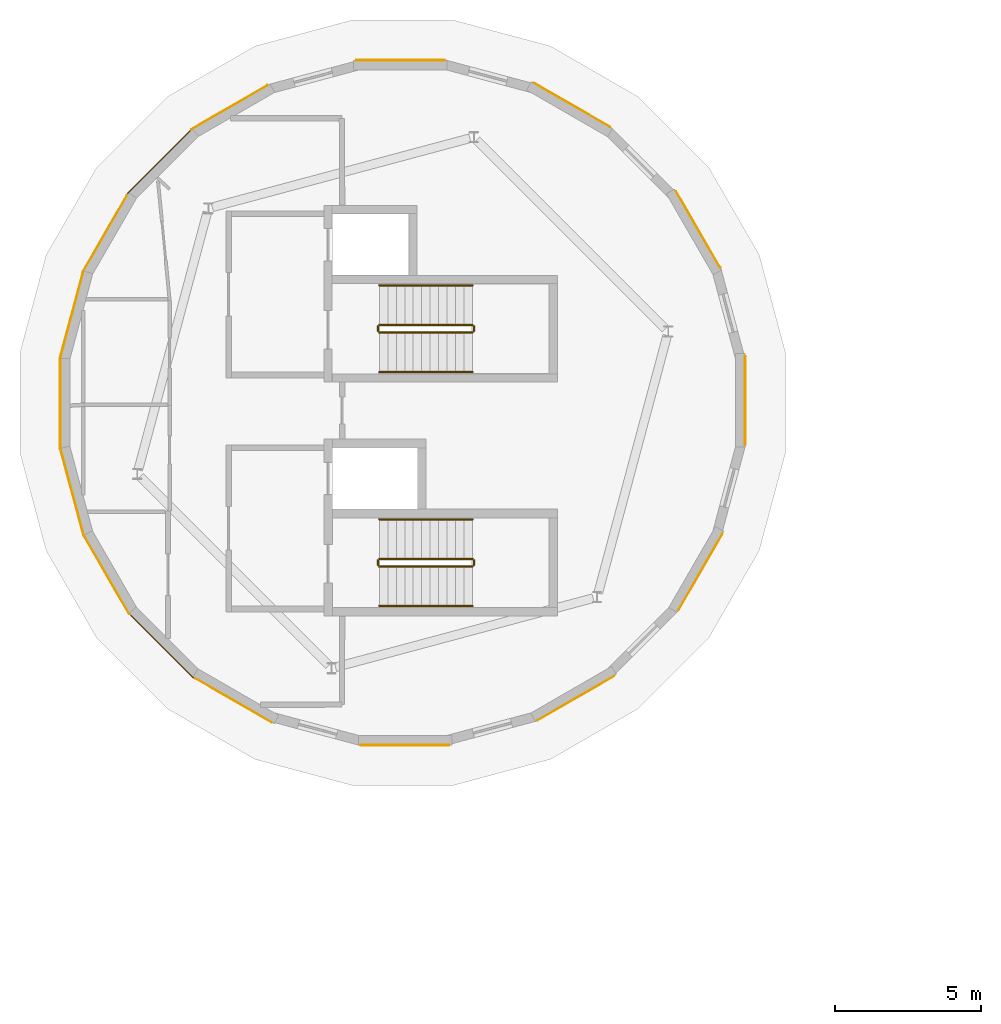
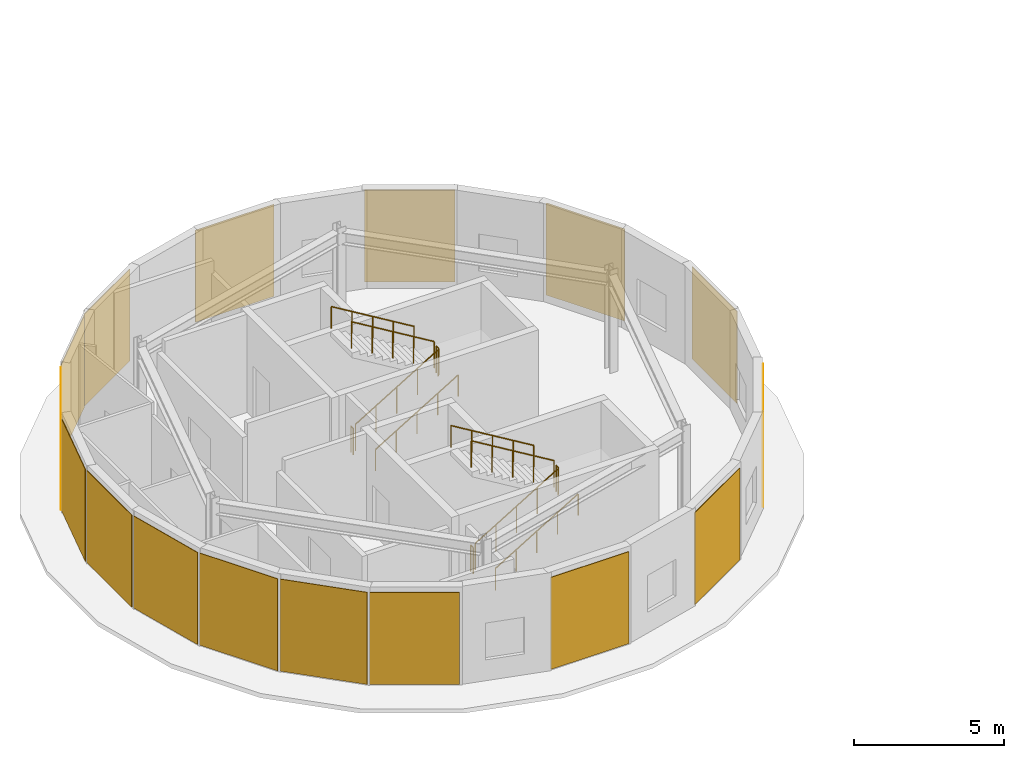
# One storey, part 4 of 5: 16 coverings, 12 railings.
"""IFC4 building model written with IfcOpenShell, lengths in metres."""

from ifc_helpers import new_model, si_unit, direction, frame, origin, origin_2d, place, context, subcontext, project, spatial, rectangle, circle, extrude, material, layer, layer_set, type_object, element, save


model = new_model("IFC4")

# Units and contexts
model_context = context("Model", 3, precision=1e-05, world=origin(), true_north=direction((0.0, 1.0)))
body_context = subcontext(model_context, "Body", "Model", "MODEL_VIEW")
ifc_project = project(units=[si_unit("LENGTHUNIT", "METRE"), si_unit("AREAUNIT", "SQUARE_METRE"), si_unit("VOLUMEUNIT", "CUBIC_METRE"), si_unit("PLANEANGLEUNIT", "RADIAN"), si_unit("MASSUNIT", "GRAM", prefix="KILO")], contexts=[model_context])

# Site, building, storey
site_placement = place(None, origin())
site = spatial("IfcSite", under=ifc_project, at=site_placement, CompositionType="ELEMENT")
building_placement = place(site_placement, origin())
building = spatial("IfcBuilding", under=site, at=building_placement, Name="Varnklinge Art Gallery", CompositionType="ELEMENT")
storey_placement = place(building_placement, frame((0.0, 0.0, 21.60009765625)))
storey = spatial("IfcBuildingStorey", under=building, at=storey_placement, Name="L05", CompositionType="ELEMENT", Elevation=21.60009765625)

# Coverings
ifc_material_1 = material(Name="Pre-weathered Zinc", Category="metal")
ifc_layer = layer(ifc_material_1, 0.02490234375)
ifc_layer_set = layer_set([ifc_layer], Name="Pre-weathered Zinc")
covering_type = type_object("IfcCoveringType", Name="CLD-ZNC", PredefinedType="CLADDING", material=ifc_layer_set)
for number, where, z_axis, x_axis, name in (
    (1, (87.21142578125, 38.580078125, 0.044921875), (0.0, 0.0, 1.0), (0.0, -1.0, 0.0), "L05 Brushed Zinc Drum Cladding EW-V4D-L05-01"),
    (2, (85.6826171875, 32.71337890625, 0.044921875), (0.0, 0.0, 1.0), (-0.5, -0.866025403784, 0.0), "L05 Brushed Zinc Drum Cladding EW-V4D-L05-03"),
    (3, (81.425048828125, 28.3974609375, 0.044921875), (0.0, 0.0, 1.0), (-0.866025403784, -0.5, 0.0), "L05 Brushed Zinc Drum Cladding EW-V4D-L05-05"),
    (4, (75.580078125, 26.78857421875, 0.044921875), (0.0, 0.0, 1.0), (-1.0, 0.0, 0.0), "L05 Brushed Zinc Drum Cladding EW-V4D-L05-07"),
    (5, (69.71337890625, 28.3173828125, 0.044921875), (0.0, 0.0, 1.0), (-0.866025403784, 0.5, 0.0), "L05 Brushed Zinc Drum Cladding EW-V4D-L05-09"),
    (6, (67.275146484375, 30.162109375, 0.044921875), (0.0, 0.0, 1.0), (-0.707106781187, 0.707106781187, 0.0), "L05 Brushed Zinc Drum Cladding EW-V4D-L05-10"),
    (7, (65.3974609375, 32.574951171875, 0.044921875), (0.0, 0.0, 1.0), (-0.5, 0.866025403784, 0.0), "L05 Brushed Zinc Drum Cladding EW-V4D-L05-11"),
    (8, (64.208251953125, 35.3916015625, 0.044921875), (0.0, 0.0, 1.0), (-0.258819045103, 0.965925826289, 0.0), "L05 Brushed Zinc Drum Cladding EW-V4D-L05-12"),
    (9, (63.78857421875, 38.419921875, 0.044921875), (0.0, 0.0, 1.0), (0.0, 1.0, 0.0), "L05 Brushed Zinc Drum Cladding EW-V4D-L05-13"),
    (10, (64.166748046875, 41.453857421875, 0.044921875), (0.0, 0.0, 1.0), (0.258819045103, 0.965925826289, 0.0), "L05 Brushed Zinc Drum Cladding EW-V4D-L05-14"),
    (11, (65.3173828125, 44.28662109375, 0.044921875), (0.0, 0.0, 1.0), (0.5, 0.866025403784, 0.0), "L05 Brushed Zinc Drum Cladding EW-V4D-L05-15"),
    (12, (67.162109375, 46.724853515625, 0.044921875), (0.0, 0.0, 1.0), (0.707106781187, 0.707106781187, 0.0), "L05 Brushed Zinc Drum Cladding EW-V4D-L05-16"),
    (13, (69.574951171875, 48.6025390625, 0.044921875), (0.0, 0.0, 1.0), (0.866025403784, 0.5, 0.0), "L05 Brushed Zinc Drum Cladding EW-V4D-L05-17"),
    (14, (75.419921875, 50.21142578125, 0.044921875), (0.0, 0.0, 1.0), (1.0, 0.0, 0.0), "L05 Brushed Zinc Drum Cladding EW-V4D-L05-19"),
    (15, (81.28662109375, 48.6826171875, 0.044921875), (0.0, 0.0, 1.0), (0.866025403784, -0.5, 0.0), "L05 Brushed Zinc Drum Cladding EW-V4D-L05-21"),
    (16, (85.6025390625, 44.425048828125, 0.044921875), (0.0, 0.0, 1.0), (0.5, -0.866025403784, 0.0), "L05 Brushed Zinc Drum Cladding EW-V4D-L05-23"),
):
    element("IfcCovering", number, at=place(storey_placement, frame(where, z_axis=z_axis, x_axis=x_axis)), inside=storey, type_object=covering_type, Name=name, PredefinedType="CLADDING", context=body_context, shape_type="SweptSolid", body=[
        extrude(rectangle(XDim=3.018310546875, YDim=0.02490234375, at=origin_2d()), origin(), (0.0, 0.0, 1.0), 3.75),
    ])

# Railings
ifc_material_2 = material(Name="Steel S355", Category="steel")
railing_type_1 = type_object("IfcRailingType", Name="GR-INT", PredefinedType="GUARDRAIL", material=ifc_material_2)
railing_1_placement = place(storey_placement, frame((74.699951171875, 32.89990234375, 0.1748046875)))
element("IfcRailing", 17, at=railing_1_placement, inside=storey, type_object=railing_type_1, Name="L05 ST-01 stair guard 1", PredefinedType="GUARDRAIL", context=body_context, shape_type="SweptSolid", body=[
    extrude(circle(Radius=0.02392578125, at=origin_2d()), frame((0.0, 0.0, 1.076171875), z_axis=(0.856177665481, 0.0, 0.516681531633), x_axis=(0.0, 1.0, 0.0)), (0.0, 0.0, 1.0), 3.725830078125),
    extrude(circle(Radius=0.02099609375, at=origin_2d()), origin(), (0.0, 0.0, 1.0), 1.052001953125),
    extrude(circle(Radius=0.02099609375, at=origin_2d()), frame((0.79736328125, 0.0, 0.481201171875)), (0.0, 0.0, 1.0), 1.052001953125),
    extrude(circle(Radius=0.02099609375, at=origin_2d()), frame((1.594970703125, 0.0, 0.96240234375)), (0.0, 0.0, 1.0), 1.052001953125),
    extrude(circle(Radius=0.02099609375, at=origin_2d()), frame((2.392578125, 0.0, 1.44384765625)), (0.0, 0.0, 1.0), 1.052001953125),
    extrude(circle(Radius=0.02099609375, at=origin_2d()), frame((3.18994140625, 0.0, 1.925048828125)), (0.0, 0.0, 1.0), 1.052001953125),
])
railing_2_placement = place(storey_placement, frame((77.93994140625, 32.949951171875, 2.099853515625)))
element("IfcRailing", 18, at=railing_2_placement, inside=storey, type_object=railing_type_1, Name="L05 ST-01 stair guard 2", PredefinedType="GUARDRAIL", context=body_context, shape_type="SweptSolid", body=[
    extrude(circle(Radius=0.02392578125, at=origin_2d()), frame((0.0, 0.0, 1.076171875), z_axis=(0.0, 1.0, 0.0), x_axis=(-1.0, 0.0, 0.0)), (0.0, 0.0, 1.0), 0.16015625),
    extrude(circle(Radius=0.02099609375, at=origin_2d()), origin(), (0.0, 0.0, 1.0), 1.052001953125),
    extrude(circle(Radius=0.02099609375, at=origin_2d()), frame((0.0, 0.16015625, 0.0)), (0.0, 0.0, 1.0), 1.052001953125),
])
railing_3_placement = place(storey_placement, frame((77.889892578125, 33.159912109375, 2.27490234375)))
element("IfcRailing", 19, at=railing_3_placement, inside=storey, type_object=railing_type_1, Name="L05 ST-01 stair guard 3", PredefinedType="GUARDRAIL", context=body_context, shape_type="SweptSolid", body=[
    extrude(circle(Radius=0.02392578125, at=origin_2d()), frame((0.0, 0.0, 1.076171875), z_axis=(-0.856177665481, 0.0, 0.516681531633), x_axis=(0.0, -1.0, 0.0)), (0.0, 0.0, 1.0), 3.725830078125),
    extrude(circle(Radius=0.02099609375, at=origin_2d()), origin(), (0.0, 0.0, 1.0), 1.052001953125),
    extrude(circle(Radius=0.02099609375, at=origin_2d()), frame((-0.79736328125, 0.0, 0.481201171875)), (0.0, 0.0, 1.0), 1.052001953125),
    extrude(circle(Radius=0.02099609375, at=origin_2d()), frame((-1.594970703125, 0.0, 0.96240234375)), (0.0, 0.0, 1.0), 1.052001953125),
    extrude(circle(Radius=0.02099609375, at=origin_2d()), frame((-2.392578125, 0.0, 1.44384765625)), (0.0, 0.0, 1.0), 1.052001953125),
    extrude(circle(Radius=0.02099609375, at=origin_2d()), frame((-3.18994140625, 0.0, 1.925048828125)), (0.0, 0.0, 1.0), 1.052001953125),
])
railing_4_placement = place(storey_placement, frame((74.64990234375, 32.949951171875, 0.0)))
element("IfcRailing", 20, at=railing_4_placement, inside=storey, type_object=railing_type_1, Name="L05 ST-01 stair guard 4", PredefinedType="GUARDRAIL", context=body_context, shape_type="SweptSolid", body=[
    extrude(circle(Radius=0.02392578125, at=origin_2d()), frame((0.0, 0.0, 1.076171875), z_axis=(0.0, 1.0, 0.0), x_axis=(-1.0, 0.0, 0.0)), (0.0, 0.0, 1.0), 0.16015625),
    extrude(circle(Radius=0.02099609375, at=origin_2d()), origin(), (0.0, 0.0, 1.0), 1.052001953125),
    extrude(circle(Radius=0.02099609375, at=origin_2d()), frame((0.0, 0.16015625, 0.0)), (0.0, 0.0, 1.0), 1.052001953125),
])
railing_5_placement = place(storey_placement, frame((74.699951171875, 40.89990234375, 0.1748046875)))
element("IfcRailing", 21, at=railing_5_placement, inside=storey, type_object=railing_type_1, Name="L05 ST-02 stair guard 1", PredefinedType="GUARDRAIL", context=body_context, shape_type="SweptSolid", body=[
    extrude(circle(Radius=0.02392578125, at=origin_2d()), frame((0.0, 0.0, 1.076171875), z_axis=(0.856177665481, 0.0, 0.516681531633), x_axis=(0.0, 1.0, 0.0)), (0.0, 0.0, 1.0), 3.725830078125),
    extrude(circle(Radius=0.02099609375, at=origin_2d()), origin(), (0.0, 0.0, 1.0), 1.052001953125),
    extrude(circle(Radius=0.02099609375, at=origin_2d()), frame((0.79736328125, 0.0, 0.481201171875)), (0.0, 0.0, 1.0), 1.052001953125),
    extrude(circle(Radius=0.02099609375, at=origin_2d()), frame((1.594970703125, 0.0, 0.96240234375)), (0.0, 0.0, 1.0), 1.052001953125),
    extrude(circle(Radius=0.02099609375, at=origin_2d()), frame((2.392578125, 0.0, 1.44384765625)), (0.0, 0.0, 1.0), 1.052001953125),
    extrude(circle(Radius=0.02099609375, at=origin_2d()), frame((3.18994140625, 0.0, 1.925048828125)), (0.0, 0.0, 1.0), 1.052001953125),
])
railing_6_placement = place(storey_placement, frame((77.93994140625, 40.949951171875, 2.099853515625)))
element("IfcRailing", 22, at=railing_6_placement, inside=storey, type_object=railing_type_1, Name="L05 ST-02 stair guard 2", PredefinedType="GUARDRAIL", context=body_context, shape_type="SweptSolid", body=[
    extrude(circle(Radius=0.02392578125, at=origin_2d()), frame((0.0, 0.0, 1.076171875), z_axis=(0.0, 1.0, 0.0), x_axis=(-1.0, 0.0, 0.0)), (0.0, 0.0, 1.0), 0.16015625),
    extrude(circle(Radius=0.02099609375, at=origin_2d()), origin(), (0.0, 0.0, 1.0), 1.052001953125),
    extrude(circle(Radius=0.02099609375, at=origin_2d()), frame((0.0, 0.16015625, 0.0)), (0.0, 0.0, 1.0), 1.052001953125),
])
railing_7_placement = place(storey_placement, frame((77.889892578125, 41.159912109375, 2.27490234375)))
element("IfcRailing", 23, at=railing_7_placement, inside=storey, type_object=railing_type_1, Name="L05 ST-02 stair guard 3", PredefinedType="GUARDRAIL", context=body_context, shape_type="SweptSolid", body=[
    extrude(circle(Radius=0.02392578125, at=origin_2d()), frame((0.0, 0.0, 1.076171875), z_axis=(-0.856177665481, 0.0, 0.516681531633), x_axis=(0.0, -1.0, 0.0)), (0.0, 0.0, 1.0), 3.725830078125),
    extrude(circle(Radius=0.02099609375, at=origin_2d()), origin(), (0.0, 0.0, 1.0), 1.052001953125),
    extrude(circle(Radius=0.02099609375, at=origin_2d()), frame((-0.79736328125, 0.0, 0.481201171875)), (0.0, 0.0, 1.0), 1.052001953125),
    extrude(circle(Radius=0.02099609375, at=origin_2d()), frame((-1.594970703125, 0.0, 0.96240234375)), (0.0, 0.0, 1.0), 1.052001953125),
    extrude(circle(Radius=0.02099609375, at=origin_2d()), frame((-2.392578125, 0.0, 1.44384765625)), (0.0, 0.0, 1.0), 1.052001953125),
    extrude(circle(Radius=0.02099609375, at=origin_2d()), frame((-3.18994140625, 0.0, 1.925048828125)), (0.0, 0.0, 1.0), 1.052001953125),
])
railing_8_placement = place(storey_placement, frame((74.64990234375, 40.949951171875, 0.0)))
element("IfcRailing", 24, at=railing_8_placement, inside=storey, type_object=railing_type_1, Name="L05 ST-02 stair guard 4", PredefinedType="GUARDRAIL", context=body_context, shape_type="SweptSolid", body=[
    extrude(circle(Radius=0.02392578125, at=origin_2d()), frame((0.0, 0.0, 1.076171875), z_axis=(0.0, 1.0, 0.0), x_axis=(-1.0, 0.0, 0.0)), (0.0, 0.0, 1.0), 0.16015625),
    extrude(circle(Radius=0.02099609375, at=origin_2d()), origin(), (0.0, 0.0, 1.0), 1.052001953125),
    extrude(circle(Radius=0.02099609375, at=origin_2d()), frame((0.0, 0.16015625, 0.0)), (0.0, 0.0, 1.0), 1.052001953125),
])
ifc_material_3 = material(Name="Steel S355", Category="steel")
railing_type_2 = type_object("IfcRailingType", Name="HR-01", PredefinedType="HANDRAIL", material=ifc_material_3)
railing_9_placement = place(storey_placement, frame((74.699951171875, 31.550048828125, 0.1748046875)))
element("IfcRailing", 25, at=railing_9_placement, inside=storey, type_object=railing_type_2, Name="L05 ST-01 stair handrail 1", PredefinedType="HANDRAIL", context=body_context, shape_type="SweptSolid", body=[
    extrude(circle(Radius=0.02392578125, at=origin_2d()), frame((0.0, 0.0, 0.8759765625), z_axis=(0.856177665481, 0.0, 0.516681531633), x_axis=(0.0, 1.0, 0.0)), (0.0, 0.0, 1.0), 3.725830078125),
    extrude(circle(Radius=0.02099609375, at=origin_2d()), origin(), (0.0, 0.0, 1.0), 0.851806640625),
    extrude(circle(Radius=0.02099609375, at=origin_2d()), frame((0.79736328125, 0.0, 0.481201171875)), (0.0, 0.0, 1.0), 0.851806640625),
    extrude(circle(Radius=0.02099609375, at=origin_2d()), frame((1.594970703125, 0.0, 0.96240234375)), (0.0, 0.0, 1.0), 0.851806640625),
    extrude(circle(Radius=0.02099609375, at=origin_2d()), frame((2.392578125, 0.0, 1.44384765625)), (0.0, 0.0, 1.0), 0.851806640625),
    extrude(circle(Radius=0.02099609375, at=origin_2d()), frame((3.18994140625, 0.0, 1.925048828125)), (0.0, 0.0, 1.0), 0.851806640625),
])
railing_10_placement = place(storey_placement, frame((77.889892578125, 34.510009765625, 2.27490234375)))
element("IfcRailing", 26, at=railing_10_placement, inside=storey, type_object=railing_type_2, Name="L05 ST-01 stair handrail 2", PredefinedType="HANDRAIL", context=body_context, shape_type="SweptSolid", body=[
    extrude(circle(Radius=0.02392578125, at=origin_2d()), frame((0.0, 0.0, 0.8759765625), z_axis=(-0.856177665481, 0.0, 0.516681531633), x_axis=(0.0, -1.0, 0.0)), (0.0, 0.0, 1.0), 3.725830078125),
    extrude(circle(Radius=0.02099609375, at=origin_2d()), origin(), (0.0, 0.0, 1.0), 0.851806640625),
    extrude(circle(Radius=0.02099609375, at=origin_2d()), frame((-0.79736328125, 0.0, 0.481201171875)), (0.0, 0.0, 1.0), 0.851806640625),
    extrude(circle(Radius=0.02099609375, at=origin_2d()), frame((-1.594970703125, 0.0, 0.96240234375)), (0.0, 0.0, 1.0), 0.851806640625),
    extrude(circle(Radius=0.02099609375, at=origin_2d()), frame((-2.392578125, 0.0, 1.44384765625)), (0.0, 0.0, 1.0), 0.851806640625),
    extrude(circle(Radius=0.02099609375, at=origin_2d()), frame((-3.18994140625, 0.0, 1.925048828125)), (0.0, 0.0, 1.0), 0.851806640625),
])
railing_11_placement = place(storey_placement, frame((74.699951171875, 39.550048828125, 0.1748046875)))
element("IfcRailing", 27, at=railing_11_placement, inside=storey, type_object=railing_type_2, Name="L05 ST-02 stair handrail 1", PredefinedType="HANDRAIL", context=body_context, shape_type="SweptSolid", body=[
    extrude(circle(Radius=0.02392578125, at=origin_2d()), frame((0.0, 0.0, 0.8759765625), z_axis=(0.856177665481, 0.0, 0.516681531633), x_axis=(0.0, 1.0, 0.0)), (0.0, 0.0, 1.0), 3.725830078125),
    extrude(circle(Radius=0.02099609375, at=origin_2d()), origin(), (0.0, 0.0, 1.0), 0.851806640625),
    extrude(circle(Radius=0.02099609375, at=origin_2d()), frame((0.79736328125, 0.0, 0.481201171875)), (0.0, 0.0, 1.0), 0.851806640625),
    extrude(circle(Radius=0.02099609375, at=origin_2d()), frame((1.594970703125, 0.0, 0.96240234375)), (0.0, 0.0, 1.0), 0.851806640625),
    extrude(circle(Radius=0.02099609375, at=origin_2d()), frame((2.392578125, 0.0, 1.44384765625)), (0.0, 0.0, 1.0), 0.851806640625),
    extrude(circle(Radius=0.02099609375, at=origin_2d()), frame((3.18994140625, 0.0, 1.925048828125)), (0.0, 0.0, 1.0), 0.851806640625),
])
railing_12_placement = place(storey_placement, frame((77.889892578125, 42.510009765625, 2.27490234375)))
element("IfcRailing", 28, at=railing_12_placement, inside=storey, type_object=railing_type_2, Name="L05 ST-02 stair handrail 2", PredefinedType="HANDRAIL", context=body_context, shape_type="SweptSolid", body=[
    extrude(circle(Radius=0.02392578125, at=origin_2d()), frame((0.0, 0.0, 0.8759765625), z_axis=(-0.856177665481, 0.0, 0.516681531633), x_axis=(0.0, -1.0, 0.0)), (0.0, 0.0, 1.0), 3.725830078125),
    extrude(circle(Radius=0.02099609375, at=origin_2d()), origin(), (0.0, 0.0, 1.0), 0.851806640625),
    extrude(circle(Radius=0.02099609375, at=origin_2d()), frame((-0.79736328125, 0.0, 0.481201171875)), (0.0, 0.0, 1.0), 0.851806640625),
    extrude(circle(Radius=0.02099609375, at=origin_2d()), frame((-1.594970703125, 0.0, 0.96240234375)), (0.0, 0.0, 1.0), 0.851806640625),
    extrude(circle(Radius=0.02099609375, at=origin_2d()), frame((-2.392578125, 0.0, 1.44384765625)), (0.0, 0.0, 1.0), 0.851806640625),
    extrude(circle(Radius=0.02099609375, at=origin_2d()), frame((-3.18994140625, 0.0, 1.925048828125)), (0.0, 0.0, 1.0), 0.851806640625),
])

save(model, "model.ifc")
